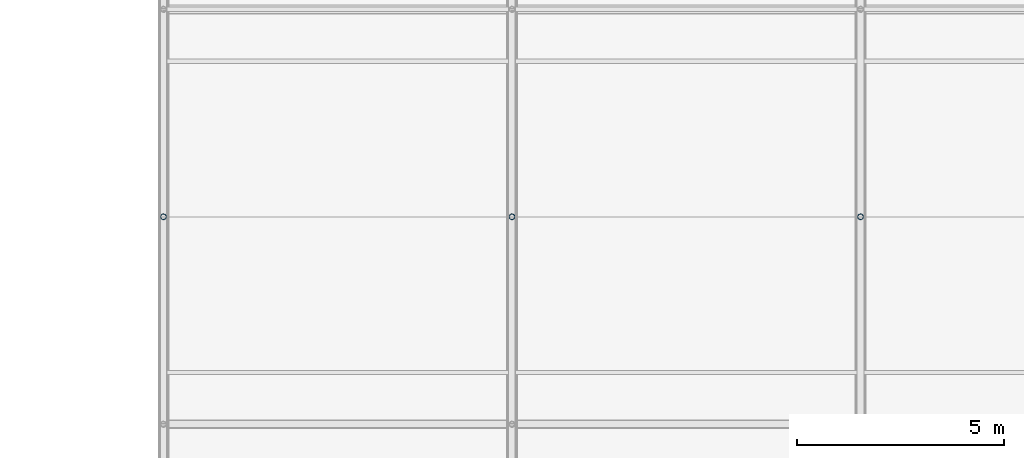
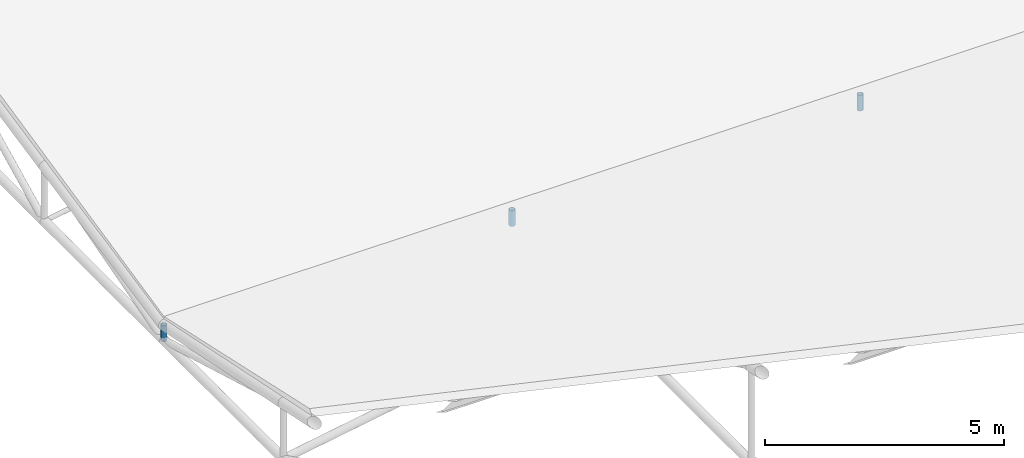
# One storey, part 130 of 194: 3 members.
"""IFC4 building model written with IfcOpenShell, lengths in metres."""

import ifcopenshell
import ifcopenshell.guid

model = None  # the IFC model being written
_history = None  # IfcOwnerHistory: only IFC2X3 demands one
_inside = {}  # id of a spatial element -> (the spatial element, [elements in it])
_under = {}  # id of a project, library or spatial element -> (it, [spatial elements below it])
_declared = {}  # id of a project -> (the project, [libraries it declares])
_typed = {}  # id of a type object -> (the type object, [elements of that type])
_made_of = {}  # id of a material, layer set ... -> (it, [elements and type objects made of it])


def new_model(schema):
    """Start an empty IFC model of exactly this schema.

    Asked for "IFC4X3", IfcOpenShell would pick the latest addendum, in which some entities
    have other attributes; the version numbers below select the first issue.
    IFC2X3 requires an IfcOwnerHistory on every rooted entity: one is made here for all.
    """
    global model, _history
    if schema == "IFC4X3":
        model = ifcopenshell.file(schema_version=(4, 3, 0, 0))
    else:
        model = ifcopenshell.file(schema=schema)
    _inside.clear()
    _under.clear()
    _declared.clear()
    _typed.clear()
    _made_of.clear()
    _history = None
    if model.schema == "IFC2X3":
        org = make("IfcOrganization", Name="unknown")
        user = make(
            "IfcPersonAndOrganization",
            ThePerson=make("IfcPerson", FamilyName="unknown"),
            TheOrganization=org,
        )
        app = make(
            "IfcApplication",
            ApplicationDeveloper=org,
            Version="unknown",
            ApplicationFullName="unknown",
            ApplicationIdentifier="unknown",
        )
        _history = make(
            "IfcOwnerHistory",
            OwningUser=user,
            OwningApplication=app,
            ChangeAction="ADDED",
            CreationDate=0,
        )
    return model


def make(cls, **values):
    """One entity of the class cls with the attributes given. An attribute that is None is left unset."""
    return model.create_entity(
        cls, **{name: value for name, value in values.items() if value is not None}
    )


def rooted(cls, **values):
    """An entity with a GlobalId (a new one), such as an element, a storey or a relation."""
    return make(cls, GlobalId=ifcopenshell.guid.new(), OwnerHistory=_history, **values)


def si_unit(unit_type, name, prefix=None):
    """IfcSIUnit, for example si_unit("LENGTHUNIT", "METRE", prefix="MILLI")."""
    return make("IfcSIUnit", UnitType=unit_type, Prefix=prefix, Name=name)


def assignment(units):
    """IfcUnitAssignment: the units of a project."""
    return None if units is None else make("IfcUnitAssignment", Units=units)


def point(xyz):
    """IfcCartesianPoint."""
    return None if xyz is None else make("IfcCartesianPoint", Coordinates=xyz)


def direction(xyz):
    """IfcDirection."""
    return None if xyz is None else make("IfcDirection", DirectionRatios=xyz)


def frame(location, z_axis=None, x_axis=None):
    """IfcAxis2Placement3D, a coordinate frame: its origin and axes. An axis left out is left unset."""
    return make(
        "IfcAxis2Placement3D",
        Location=point(location),
        Axis=direction(z_axis),
        RefDirection=direction(x_axis),
    )


def frame_2d(location, x_axis=None):
    """IfcAxis2Placement2D, a coordinate frame in the plane: its origin and x axis."""
    return make(
        "IfcAxis2Placement2D", Location=point(location), RefDirection=direction(x_axis)
    )


def origin():
    """The frame at (0, 0, 0) with its axes left unset."""
    return frame((0.0, 0.0, 0.0))


def origin_2d():
    """The frame at (0, 0) in the plane with its x axis left unset."""
    return frame_2d((0.0, 0.0))


def place(relative_to, where):
    """IfcLocalPlacement: puts the frame where relative to a parent placement (None: the world)."""
    return make(
        "IfcLocalPlacement", PlacementRelTo=relative_to, RelativePlacement=where
    )


def context(
    kind, dimensions, precision=None, world=None, true_north=None, identifier=None
):
    """IfcGeometricRepresentationContext, for example the 3D "Model" context."""
    return make(
        "IfcGeometricRepresentationContext",
        ContextIdentifier=identifier,
        ContextType=kind,
        CoordinateSpaceDimension=dimensions,
        Precision=precision,
        WorldCoordinateSystem=world,
        TrueNorth=true_north,
    )


def subcontext(parent, identifier, kind, view, scale=None):
    """IfcGeometricRepresentationSubContext, for example "Body" below "Model"."""
    return make(
        "IfcGeometricRepresentationSubContext",
        ContextIdentifier=identifier,
        ContextType=kind,
        ParentContext=parent,
        TargetScale=scale,
        TargetView=view,
    )


def project(units=None, contexts=None):
    """IfcProject with its units and contexts."""
    return rooted(
        "IfcProject",
        Name="project",
        RepresentationContexts=contexts,
        UnitsInContext=assignment(units),
    )


def spatial(cls, under=None, at=None, **own):
    """A site, building, storey or space (cls), placed at a placement, below another one or the project."""
    s = rooted(cls, ObjectPlacement=at, **own)
    if under is not None:
        _under.setdefault(under.id(), (under, []))[1].append(s)
    return s


def profile(cls, at=None, kind="AREA", **sizes):
    """A parametric profile (cls). Its sizes go by their IFC names, for example OverallWidth=200.0."""
    return make(cls, ProfileType=kind, Position=at, **sizes)


def hollow_circle(**sizes):
    """IfcCircleHollowProfileDef."""
    return profile("IfcCircleHollowProfileDef", **sizes)


def extrude(swept, where, along, depth):
    """IfcExtrudedAreaSolid: the profile swept, set in the frame where, extruded along a direction by depth."""
    return make(
        "IfcExtrudedAreaSolid",
        SweptArea=swept,
        Position=where,
        ExtrudedDirection=direction(along),
        Depth=depth,
    )


def shape(context_of_items, identifier, shape_type, items):
    """IfcShapeRepresentation: the items that make up one representation, for example the "Body"."""
    return make(
        "IfcShapeRepresentation",
        ContextOfItems=context_of_items,
        RepresentationIdentifier=identifier,
        RepresentationType=shape_type,
        Items=items,
    )


def material(Name=None, Category=None):
    """IfcMaterial."""
    return make("IfcMaterial", Name=Name, Category=Category)


def material_profile(
    of_material, cross_section, Name=None, Category=None, Priority=None
):
    """IfcMaterialProfile: a cross section and its material."""
    return make(
        "IfcMaterialProfile",
        Name=Name,
        Material=of_material,
        Profile=cross_section,
        Priority=Priority,
        Category=Category,
    )


def profile_set(profiles, Name=None, composite=None):
    """IfcMaterialProfileSet."""
    return make(
        "IfcMaterialProfileSet",
        Name=Name,
        MaterialProfiles=profiles,
        CompositeProfile=composite,
    )


def made_of(thing, what):
    """Note that an element or type object is made of a material, layer set ...; save() writes the relation."""
    if what is not None:
        _made_of.setdefault(what.id(), (what, []))[1].append(thing)
    return thing


def type_object(cls, material=None, **own):
    """A type object (cls), such as IfcWallType, which elements share."""
    return made_of(rooted(cls, **own), material)


def element(
    cls,
    number,
    at=None,
    inside=None,
    cuts=None,
    type_object=None,
    material=None,
    context=None,
    identifier="Body",
    shape_type=None,
    held_by="IfcProductDefinitionShape",
    body=None,
    shapes=None,
    **own,
):
    """One element of the class cls, such as IfcWall. Its Tag is "e" and its number.

    at: its placement. inside: the storey or other place that contains it. cuts: it is an
    opening in that element (IfcRelVoidsElement). A single representation is given by context,
    identifier, shape_type and body (its items); several are given by shapes. held_by: the class
    of the entity that holds the representations. save() writes the other relations.
    """
    e = rooted(cls, Tag="e%d" % number, ObjectPlacement=at, **own)
    if body is not None:
        shapes = [shape(context, identifier, shape_type, body)]
    if shapes is not None:
        e.Representation = make(held_by, Representations=shapes)
    if inside is not None:
        _inside.setdefault(inside.id(), (inside, []))[1].append(e)
    if cuts is not None:
        rooted(
            "IfcRelVoidsElement", RelatingBuildingElement=cuts, RelatedOpeningElement=e
        )
    if type_object is not None:
        _typed.setdefault(type_object.id(), (type_object, []))[1].append(e)
    return made_of(e, material)


def aggregate(whole, parts):
    """IfcRelAggregates: a whole, such as a stair, and the parts it consists of."""
    return rooted("IfcRelAggregates", RelatingObject=whole, RelatedObjects=parts)


def save(model, path):
    """Write the relations noted so far, then the file.

    IfcRelAggregates (storeys below a building ...), IfcRelContainedInSpatialStructure (elements
    in a storey), IfcRelDefinesByType, IfcRelAssociatesMaterial and IfcRelDeclares: one each for
    every whole, place, type object, material and project.
    """
    for whole, parts in _under.values():
        aggregate(whole, parts)
    for where, things in _inside.values():
        rooted(
            "IfcRelContainedInSpatialStructure",
            RelatedElements=things,
            RelatingStructure=where,
        )
    for kind, things in _typed.values():
        rooted("IfcRelDefinesByType", RelatedObjects=things, RelatingType=kind)
    for what, things in _made_of.values():
        rooted("IfcRelAssociatesMaterial", RelatedObjects=things, RelatingMaterial=what)
    for by, libraries in _declared.values():
        rooted("IfcRelDeclares", RelatingContext=by, RelatedDefinitions=libraries)
    model.write(path)


model = new_model("IFC4")

# Units and contexts
model_context = context("Model", 3, precision=1e-05, world=origin(), true_north=direction((0.0, 1.0)))
body_context = subcontext(model_context, "Body", "Model", "MODEL_VIEW")
ifc_project = project(units=[si_unit("LENGTHUNIT", "METRE"), si_unit("AREAUNIT", "SQUARE_METRE"), si_unit("VOLUMEUNIT", "CUBIC_METRE"), si_unit("PLANEANGLEUNIT", "RADIAN"), si_unit("MASSUNIT", "GRAM", prefix="KILO")], contexts=[model_context])

# Site, building, storey
site_placement = place(None, origin())
site = spatial("IfcSite", under=ifc_project, at=site_placement, CompositionType="ELEMENT")
building_placement = place(site_placement, origin())
building = spatial("IfcBuilding", under=site, at=building_placement, Name="Kazenagashi Tramway Depot", CompositionType="ELEMENT")
storey_placement = place(building_placement, frame((0.0, 0.0, 23.7)))
storey = spatial("IfcBuildingStorey", under=building, at=storey_placement, Name="ROOF", CompositionType="ELEMENT", Elevation=23.7)

# Members
ifc_material = material(Name="Steel STK490", Category="steel")
ifc_material_profile = material_profile(ifc_material, hollow_circle(Radius=0.0699, WallThickness=0.0066, at=origin_2d()), Name="CHS-139.8x6.6")
ifc_profile_set = profile_set([ifc_material_profile], Name="Steel STK490")
member_type = type_object("IfcMemberType", Name="TS-02", PredefinedType="STRUT", material=ifc_profile_set)
for number, where, z_axis, x_axis, name in (
    (1, (44.8, 100.0, -14.1), (0.0, 0.0, 1.0), (1.0, 0.0, 0.0), "Tubular Space Frame TS-02 MEM-0025"),
    (2, (53.2, 100.0, -14.1), (0.0, 0.0, 1.0), (1.0, 0.0, 0.0), "Tubular Space Frame TS-02 MEM-0086"),
    (3, (61.6, 100.0, -14.1), (0.0, 0.0, 1.0), (1.0, 0.0, 0.0), "Tubular Space Frame TS-02 MEM-0147"),
):
    element("IfcMember", number, at=place(storey_placement, frame(where, z_axis=z_axis, x_axis=x_axis)), inside=storey, type_object=member_type, Name=name, PredefinedType="STRUT", context=body_context, shape_type="SweptSolid", body=[
        extrude(hollow_circle(Radius=0.0699, WallThickness=0.0066, at=origin_2d()), origin(), (0.0, 0.0, 1.0), 0.4),
    ])

save(model, "model.ifc")
